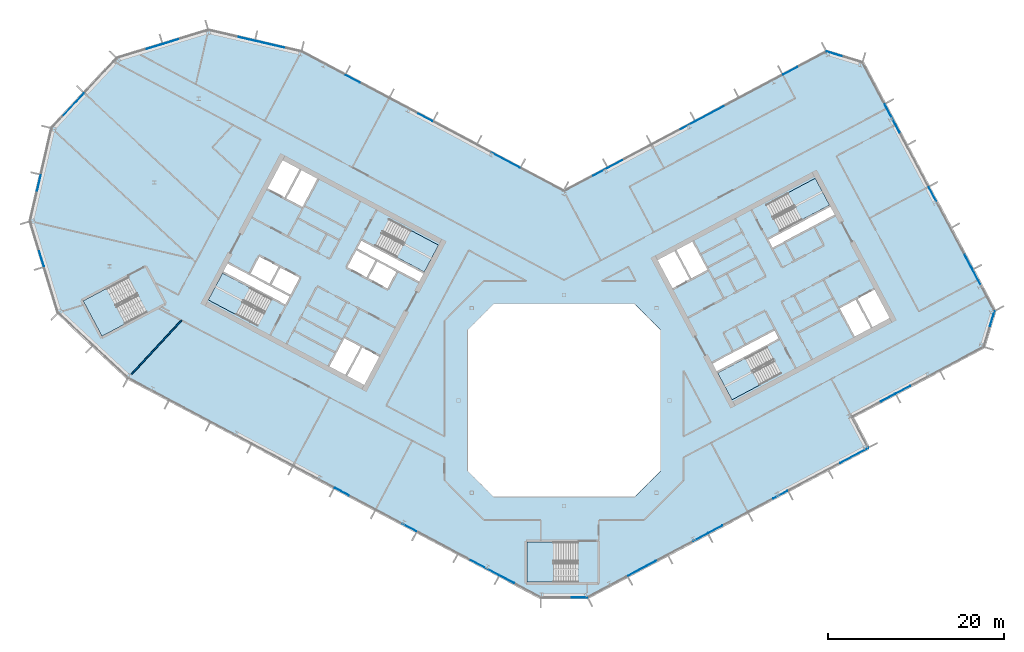
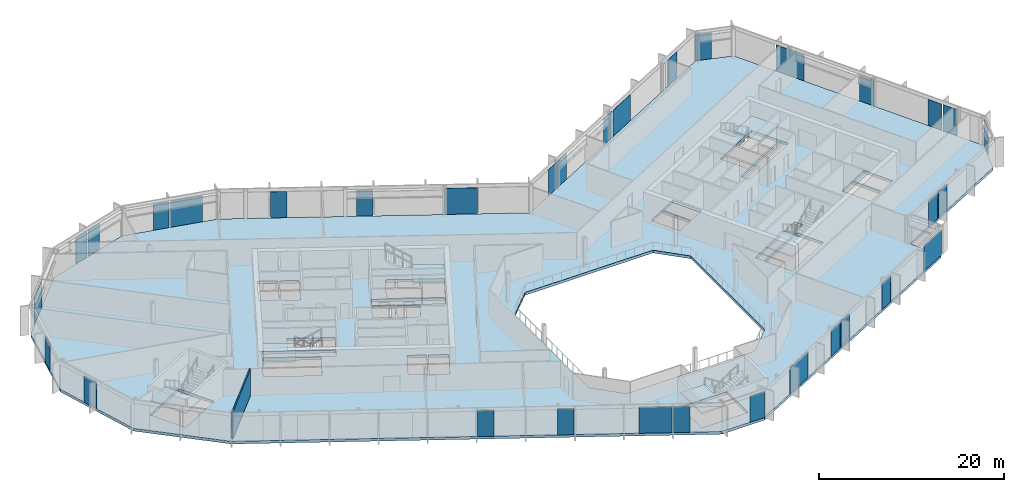
# One storey, part 11 of 26: 33 plates, 7 slabs, 1 wall, 20 elements without a shape of their own.
"""IFC4 building model written with IfcOpenShell, lengths in metres."""

from ifc_helpers import new_model, si_unit, direction, frame, frame_2d, origin, origin_2d, place, context, subcontext, project, spatial, polyline, rectangle, outline, extrude, material, layer, layer_set, type_object, element, aggregate, save


model = new_model("IFC4")

# Units and contexts
model_context = context("Model", 3, precision=1e-05, world=origin(), true_north=direction((0.0, 1.0)))
body_context = subcontext(model_context, "Body", "Model", "MODEL_VIEW")
ifc_project = project(units=[si_unit("LENGTHUNIT", "METRE"), si_unit("AREAUNIT", "SQUARE_METRE"), si_unit("VOLUMEUNIT", "CUBIC_METRE"), si_unit("PLANEANGLEUNIT", "RADIAN"), si_unit("MASSUNIT", "GRAM", prefix="KILO")], contexts=[model_context])

# Site, building, storey
site_placement = place(None, origin())
site = spatial("IfcSite", under=ifc_project, at=site_placement, CompositionType="ELEMENT")
building_placement = place(site_placement, origin())
building = spatial("IfcBuilding", under=site, at=building_placement, Name="Cormorant Relay Tower", CompositionType="ELEMENT")
storey_placement = place(building_placement, frame((0.0, 0.0, 220.800048828125)))
storey = spatial("IfcBuildingStorey", under=building, at=storey_placement, Name="L48", CompositionType="ELEMENT", Elevation=220.800048828125)

# Curtain wall, plate
ifc_material_1 = material(Name="Aluminium 6063-T6 anodised bronze", Category="aluminium")
ifc_layer_1 = layer(ifc_material_1, 0.199951171875)
ifc_layer_set_1 = layer_set([ifc_layer_1], Name="CW1 unitised bronze curtain wall with vertical fins")
curtain_wall_type = type_object("IfcCurtainWallType", Name="CW1 unitised bronze curtain wall with vertical fins", PredefinedType="NOTDEFINED", material=ifc_layer_set_1)
curtain_wall_1_placement = place(storey_placement, origin())
curtain_wall_1 = element("IfcCurtainWall", 1, at=curtain_wall_1_placement, inside=storey, type_object=curtain_wall_type, Name="CW1 curtain wall 1", PredefinedType="NOTDEFINED")
ifc_material_2 = material(Name="Tinted laminated glass", Category="glass")
ifc_layer_2 = layer(ifc_material_2, 0.0400390625)
ifc_layer_set_2 = layer_set([ifc_layer_2], Name="CW1 tinted vision panel 1800 module")
plate_type_1 = type_object("IfcPlateType", Name="CW1 tinted vision panel 1800 module", PredefinedType="CURTAIN_PANEL", material=ifc_layer_set_2)
plate_1_placement = place(storey_placement, frame((1.748779296875, -22.3955078125, 0.0), z_axis=(0.0, 0.0, 1.0), x_axis=(1.0, 0.0, 0.0)))
plate_1 = element("IfcPlate", 2, at=plate_1_placement, type_object=plate_type_1, Name="CW1 panel V01", PredefinedType="CURTAIN_PANEL", context=body_context, shape_type="SweptSolid", body=[
    extrude(rectangle(XDim=1.800048828125, YDim=0.0400390625, at=origin_2d()), origin(), (0.0, 0.0, 1.0), 3.449951171875),
])
aggregate(curtain_wall_1, [plate_1])

# Curtain wall, plates
curtain_wall_2_placement = place(storey_placement, origin())
curtain_wall_2 = element("IfcCurtainWall", 3, at=curtain_wall_2_placement, inside=storey, type_object=curtain_wall_type, Name="CW1 curtain wall 2", PredefinedType="NOTDEFINED")
plate_2_placement = place(storey_placement, frame((15.48291015625, -15.57421875, 0.0), z_axis=(0.0, 0.0, 1.0), x_axis=(0.882947592859, 0.469471562786, 0.0)))
plate_2 = element("IfcPlate", 4, at=plate_2_placement, type_object=plate_type_1, Name="CW1 panel V03", PredefinedType="CURTAIN_PANEL", context=body_context, shape_type="SweptSolid", body=[
    extrude(rectangle(XDim=1.800048828125, YDim=0.0400390625, at=origin_2d()), origin(), (0.0, 0.0, 1.0), 3.449951171875),
])
plate_3_placement = place(storey_placement, frame((17.20458984375, -14.65869140625, 0.0), z_axis=(0.0, 0.0, 1.0), x_axis=(0.882947592859, 0.469471562786, 0.0)))
plate_3 = element("IfcPlate", 5, at=plate_3_placement, type_object=plate_type_1, Name="CW1 panel V04", PredefinedType="CURTAIN_PANEL", context=body_context, shape_type="SweptSolid", body=[
    extrude(rectangle(XDim=1.800048828125, YDim=0.0400390625, at=origin_2d()), origin(), (0.0, 0.0, 1.0), 3.449951171875),
])
plate_4_placement = place(storey_placement, frame((24.6064453125, -10.72314453125, 0.0), z_axis=(0.0, 0.0, 1.0), x_axis=(0.882947592859, 0.469471562786, 0.0)))
plate_4 = element("IfcPlate", 6, at=plate_4_placement, type_object=plate_type_1, Name="CW1 panel V06", PredefinedType="CURTAIN_PANEL", context=body_context, shape_type="SweptSolid", body=[
    extrude(rectangle(XDim=1.800048828125, YDim=0.0400390625, at=origin_2d()), origin(), (0.0, 0.0, 1.0), 3.449951171875),
])

curtain_wall_3_placement = place(storey_placement, origin())
curtain_wall_3 = element("IfcCurtainWall", 7, at=curtain_wall_3_placement, inside=storey, type_object=curtain_wall_type, Name="CW1 curtain wall 4", PredefinedType="NOTDEFINED")
plate_5_placement = place(storey_placement, frame((36.85546875, 0.320068359375, 0.0), z_axis=(0.0, 0.0, 1.0), x_axis=(0.882947592859, 0.469471562786, 0.0)))
plate_5 = element("IfcPlate", 8, at=plate_5_placement, type_object=plate_type_1, Name="CW1 panel V01", PredefinedType="CURTAIN_PANEL", context=body_context, shape_type="SweptSolid", body=[
    extrude(rectangle(XDim=1.800048828125, YDim=0.0400390625, at=origin_2d()), origin(), (0.0, 0.0, 1.0), 3.449951171875),
])
plate_6_placement = place(storey_placement, frame((38.5771484375, 1.235595703125, 0.0), z_axis=(0.0, 0.0, 1.0), x_axis=(0.882947592859, 0.469471562786, 0.0)))
plate_6 = element("IfcPlate", 9, at=plate_6_placement, type_object=plate_type_1, Name="CW1 panel V02", PredefinedType="CURTAIN_PANEL", context=body_context, shape_type="SweptSolid", body=[
    extrude(rectangle(XDim=1.800048828125, YDim=0.0400390625, at=origin_2d()), origin(), (0.0, 0.0, 1.0), 3.449951171875),
])
aggregate(curtain_wall_3, [plate_5, plate_6])

# Curtain wall, plate
curtain_wall_4_placement = place(storey_placement, origin())
curtain_wall_4 = element("IfcCurtainWall", 10, at=curtain_wall_4_placement, inside=storey, type_object=curtain_wall_type, Name="CW1 curtain wall 5", PredefinedType="NOTDEFINED")
plate_7_placement = place(storey_placement, frame((48.710205078125, 9.306884765625, 0.0), z_axis=(0.0, 0.0, 1.0), x_axis=(0.292371704723, 0.956304755963, 0.0)))
plate_7 = element("IfcPlate", 11, at=plate_7_placement, type_object=plate_type_1, Name="CW1 panel V01", PredefinedType="CURTAIN_PANEL", context=body_context, shape_type="SweptSolid", body=[
    extrude(rectangle(XDim=1.800048828125, YDim=0.0400390625, at=origin_2d()), origin(), (0.0, 0.0, 1.0), 3.449951171875),
])
aggregate(curtain_wall_4, [plate_7])

# Curtain wall, plates
curtain_wall_5_placement = place(storey_placement, origin())
curtain_wall_5 = element("IfcCurtainWall", 12, at=curtain_wall_5_placement, inside=storey, type_object=curtain_wall_type, Name="CW1 curtain wall 6", PredefinedType="NOTDEFINED")
plate_8_placement = place(storey_placement, frame((46.925537109375, 14.031005859375, 0.0), z_axis=(0.0, 0.0, 1.0), x_axis=(-0.469471562786, 0.882947592859, 0.0)))
plate_8 = element("IfcPlate", 13, at=plate_8_placement, type_object=plate_type_1, Name="CW1 panel V01", PredefinedType="CURTAIN_PANEL", context=body_context, shape_type="SweptSolid", body=[
    extrude(rectangle(XDim=1.800048828125, YDim=0.0400390625, at=origin_2d()), origin(), (0.0, 0.0, 1.0), 3.449951171875),
])
plate_9_placement = place(storey_placement, frame((46.01025390625, 15.752685546875, 0.0), z_axis=(0.0, 0.0, 1.0), x_axis=(-0.469471562786, 0.882947592859, 0.0)))
plate_9 = element("IfcPlate", 14, at=plate_9_placement, type_object=plate_type_1, Name="CW1 panel V02", PredefinedType="CURTAIN_PANEL", context=body_context, shape_type="SweptSolid", body=[
    extrude(rectangle(XDim=1.800048828125, YDim=0.0400390625, at=origin_2d()), origin(), (0.0, 0.0, 1.0), 3.449951171875),
])
plate_10_placement = place(storey_placement, frame((41.91796875, 23.448974609375, 0.0), z_axis=(0.0, 0.0, 1.0), x_axis=(-0.469471562786, 0.882947592859, 0.0)))
plate_10 = element("IfcPlate", 15, at=plate_10_placement, type_object=plate_type_1, Name="CW1 panel V04", PredefinedType="CURTAIN_PANEL", context=body_context, shape_type="SweptSolid", body=[
    extrude(rectangle(XDim=1.800048828125, YDim=0.0400390625, at=origin_2d()), origin(), (0.0, 0.0, 1.0), 3.449951171875),
])

# Curtain wall, plate
curtain_wall_6_placement = place(storey_placement, origin())
curtain_wall_6 = element("IfcCurtainWall", 16, at=curtain_wall_6_placement, inside=storey, type_object=curtain_wall_type, Name="CW1 curtain wall 7", PredefinedType="NOTDEFINED")
plate_11_placement = place(storey_placement, frame((30.740234375, 39.424072265625, 0.0), z_axis=(0.0, 0.0, 1.0), x_axis=(-0.956304755963, 0.292371704723, 0.0)))
plate_11 = element("IfcPlate", 17, at=plate_11_placement, type_object=plate_type_1, Name="CW1 panel V01", PredefinedType="CURTAIN_PANEL", context=body_context, shape_type="SweptSolid", body=[
    extrude(rectangle(XDim=1.800048828125, YDim=0.0400390625, at=origin_2d()), origin(), (0.0, 0.0, 1.0), 3.449951171875),
])
aggregate(curtain_wall_6, [plate_11])

# Curtain wall, plates
curtain_wall_7_placement = place(storey_placement, origin())
curtain_wall_7 = element("IfcCurtainWall", 18, at=curtain_wall_7_placement, inside=storey, type_object=curtain_wall_type, Name="CW1 curtain wall 8", PredefinedType="NOTDEFINED")
plate_12_placement = place(storey_placement, frame((25.746337890625, 37.49609375, 0.0), z_axis=(0.0, 0.0, 1.0), x_axis=(-0.882947592859, -0.469471562786, 0.0)))
plate_12 = element("IfcPlate", 19, at=plate_12_placement, type_object=plate_type_1, Name="CW1 panel V01", PredefinedType="CURTAIN_PANEL", context=body_context, shape_type="SweptSolid", body=[
    extrude(rectangle(XDim=1.800048828125, YDim=0.0400390625, at=origin_2d()), origin(), (0.0, 0.0, 1.0), 3.449951171875),
])
plate_13_placement = place(storey_placement, frame((14.066650390625, 31.285888671875, 0.0), z_axis=(0.0, 0.0, 1.0), x_axis=(-0.882947592859, -0.469471562786, 0.0)))
plate_13 = element("IfcPlate", 20, at=plate_13_placement, type_object=plate_type_1, Name="CW1 panel V04", PredefinedType="CURTAIN_PANEL", context=body_context, shape_type="SweptSolid", body=[
    extrude(rectangle(XDim=1.800048828125, YDim=0.0400390625, at=origin_2d()), origin(), (0.0, 0.0, 1.0), 3.449951171875),
])
plate_14_placement = place(storey_placement, frame((5.830322265625, 26.90673828125, 0.0), z_axis=(0.0, 0.0, 1.0), x_axis=(-0.882947592859, -0.469471562786, 0.0)))
plate_14 = element("IfcPlate", 21, at=plate_14_placement, type_object=plate_type_1, Name="CW1 panel V06", PredefinedType="CURTAIN_PANEL", context=body_context, shape_type="SweptSolid", body=[
    extrude(rectangle(XDim=1.800048828125, YDim=0.0400390625, at=origin_2d()), origin(), (0.0, 0.0, 1.0), 3.449951171875),
])
plate_15_placement = place(storey_placement, frame((4.108642578125, 25.9912109375, 0.0), z_axis=(0.0, 0.0, 1.0), x_axis=(-0.882947592859, -0.469471562786, 0.0)))
plate_15 = element("IfcPlate", 22, at=plate_15_placement, type_object=plate_type_1, Name="CW1 panel V07", PredefinedType="CURTAIN_PANEL", context=body_context, shape_type="SweptSolid", body=[
    extrude(rectangle(XDim=1.800048828125, YDim=0.0400390625, at=origin_2d()), origin(), (0.0, 0.0, 1.0), 3.449951171875),
])

curtain_wall_8_placement = place(storey_placement, origin())
curtain_wall_8 = element("IfcCurtainWall", 23, at=curtain_wall_8_placement, inside=storey, type_object=curtain_wall_type, Name="CW1 curtain wall 9", PredefinedType="NOTDEFINED")
plate_16_placement = place(storey_placement, frame((-15.788330078125, 32.201416015625, 0.0), z_axis=(0.0, 0.0, 1.0), x_axis=(-0.882947592859, 0.469471562786, 0.0)))
plate_16 = element("IfcPlate", 24, at=plate_16_placement, type_object=plate_type_1, Name="CW1 panel V03", PredefinedType="CURTAIN_PANEL", context=body_context, shape_type="SweptSolid", body=[
    extrude(rectangle(XDim=1.800048828125, YDim=0.0400390625, at=origin_2d()), origin(), (0.0, 0.0, 1.0), 3.449951171875),
])
plate_17_placement = place(storey_placement, frame((-24.0244140625, 36.580810546875, 0.0), z_axis=(0.0, 0.0, 1.0), x_axis=(-0.882947592859, 0.469471562786, 0.0)))
plate_17 = element("IfcPlate", 25, at=plate_17_placement, type_object=plate_type_1, Name="CW1 panel V05", PredefinedType="CURTAIN_PANEL", context=body_context, shape_type="SweptSolid", body=[
    extrude(rectangle(XDim=1.800048828125, YDim=0.0400390625, at=origin_2d()), origin(), (0.0, 0.0, 1.0), 3.449951171875),
])

# Curtain wall, plate
curtain_wall_9_placement = place(storey_placement, origin())
curtain_wall_9 = element("IfcCurtainWall", 26, at=curtain_wall_9_placement, inside=storey, type_object=curtain_wall_type, Name="CW1 curtain wall 10", PredefinedType="NOTDEFINED")
plate_18_placement = place(storey_placement, frame((-36.114990234375, 41.129638671875, 0.0), z_axis=(0.0, 0.0, 1.0), x_axis=(-0.974370064785, 0.224951054344, 0.0)))
plate_18 = element("IfcPlate", 27, at=plate_18_placement, type_object=plate_type_1, Name="CW1 panel V02", PredefinedType="CURTAIN_PANEL", context=body_context, shape_type="SweptSolid", body=[
    extrude(rectangle(XDim=1.800048828125, YDim=0.0400390625, at=origin_2d()), origin(), (0.0, 0.0, 1.0), 3.449951171875),
])

# Curtain wall, plates
curtain_wall_10_placement = place(storey_placement, origin())
curtain_wall_10 = element("IfcCurtainWall", 28, at=curtain_wall_10_placement, inside=storey, type_object=curtain_wall_type, Name="CW1 curtain wall 11", PredefinedType="NOTDEFINED")
plate_19_placement = place(storey_placement, frame((-44.73681640625, 40.82861328125, 0.0), z_axis=(0.0, 0.0, 1.0), x_axis=(-0.956304755963, -0.292371704723, 0.0)))
plate_19 = element("IfcPlate", 29, at=plate_19_placement, type_object=plate_type_1, Name="CW1 panel V01", PredefinedType="CURTAIN_PANEL", context=body_context, shape_type="SweptSolid", body=[
    extrude(rectangle(XDim=1.800048828125, YDim=0.0400390625, at=origin_2d()), origin(), (0.0, 0.0, 1.0), 3.449951171875),
])
plate_20_placement = place(storey_placement, frame((-46.6015625, 40.25830078125, 0.0), z_axis=(0.0, 0.0, 1.0), x_axis=(-0.956304755963, -0.292371704723, 0.0)))
plate_20 = element("IfcPlate", 30, at=plate_20_placement, type_object=plate_type_1, Name="CW1 panel V02", PredefinedType="CURTAIN_PANEL", context=body_context, shape_type="SweptSolid", body=[
    extrude(rectangle(XDim=1.800048828125, YDim=0.0400390625, at=origin_2d()), origin(), (0.0, 0.0, 1.0), 3.449951171875),
])
aggregate(curtain_wall_10, [plate_19, plate_20])

# Curtain wall, plate
curtain_wall_11_placement = place(storey_placement, origin())
curtain_wall_11 = element("IfcCurtainWall", 31, at=curtain_wall_11_placement, inside=storey, type_object=curtain_wall_type, Name="CW1 curtain wall 13", PredefinedType="NOTDEFINED")
plate_21_placement = place(storey_placement, frame((-59.736083984375, 24.74365234375, 0.0), z_axis=(0.0, 0.0, 1.0), x_axis=(-0.224951054344, -0.974370064785, 0.0)))
plate_21 = element("IfcPlate", 32, at=plate_21_placement, type_object=plate_type_1, Name="CW1 panel V01", PredefinedType="CURTAIN_PANEL", context=body_context, shape_type="SweptSolid", body=[
    extrude(rectangle(XDim=1.800048828125, YDim=0.0400390625, at=origin_2d()), origin(), (0.0, 0.0, 1.0), 3.449951171875),
])
aggregate(curtain_wall_11, [plate_21])

curtain_wall_12_placement = place(storey_placement, origin())
curtain_wall_12 = element("IfcCurtainWall", 33, at=curtain_wall_12_placement, inside=storey, type_object=curtain_wall_type, Name="CW1 curtain wall 14", PredefinedType="NOTDEFINED")
plate_22_placement = place(storey_placement, frame((-59.434814453125, 16.122314453125, 0.0), z_axis=(0.0, 0.0, 1.0), x_axis=(0.292371704723, -0.956304755963, 0.0)))
plate_22 = element("IfcPlate", 34, at=plate_22_placement, type_object=plate_type_1, Name="CW1 panel V01", PredefinedType="CURTAIN_PANEL", context=body_context, shape_type="SweptSolid", body=[
    extrude(rectangle(XDim=1.800048828125, YDim=0.0400390625, at=origin_2d()), origin(), (0.0, 0.0, 1.0), 3.449951171875),
])
aggregate(curtain_wall_12, [plate_22])

# Curtain wall, plates
curtain_wall_13_placement = place(storey_placement, origin())
curtain_wall_13 = element("IfcCurtainWall", 35, at=curtain_wall_13_placement, inside=storey, type_object=curtain_wall_type, Name="CW1 curtain wall 16", PredefinedType="NOTDEFINED")
plate_23_placement = place(storey_placement, frame((-25.268798828125, -10.37109375, 0.0), z_axis=(0.0, 0.0, 1.0), x_axis=(0.882947592859, -0.469471562786, 0.0)))
plate_23 = element("IfcPlate", 36, at=plate_23_placement, type_object=plate_type_1, Name="CW1 panel V06", PredefinedType="CURTAIN_PANEL", context=body_context, shape_type="SweptSolid", body=[
    extrude(rectangle(XDim=1.800048828125, YDim=0.0400390625, at=origin_2d()), origin(), (0.0, 0.0, 1.0), 3.449951171875),
])
plate_24_placement = place(storey_placement, frame((-17.601806640625, -14.447509765625, 0.0), z_axis=(0.0, 0.0, 1.0), x_axis=(0.882947592859, -0.469471562786, 0.0)))
plate_24 = element("IfcPlate", 37, at=plate_24_placement, type_object=plate_type_1, Name="CW1 panel V08", PredefinedType="CURTAIN_PANEL", context=body_context, shape_type="SweptSolid", body=[
    extrude(rectangle(XDim=1.800048828125, YDim=0.0400390625, at=origin_2d()), origin(), (0.0, 0.0, 1.0), 3.449951171875),
])
plate_25_placement = place(storey_placement, frame((-6.49169921875, -20.35498046875, 0.0), z_axis=(0.0, 0.0, 1.0), x_axis=(0.882947592859, -0.469471562786, 0.0)))
plate_25 = element("IfcPlate", 38, at=plate_25_placement, type_object=plate_type_1, Name="CW1 panel V11", PredefinedType="CURTAIN_PANEL", context=body_context, shape_type="SweptSolid", body=[
    extrude(rectangle(XDim=1.800048828125, YDim=0.0400390625, at=origin_2d()), origin(), (0.0, 0.0, 1.0), 3.449951171875),
])

# Plate
ifc_material_3 = material(Name="Tinted laminated glass", Category="glass")
ifc_layer_3 = layer(ifc_material_3, 0.0400390625)
ifc_layer_set_3 = layer_set([ifc_layer_3], Name="CW1 tinted vision panel 3600 module")
plate_type_2 = type_object("IfcPlateType", Name="CW1 tinted vision panel 3600 module", PredefinedType="CURTAIN_PANEL", material=ifc_layer_set_3)
plate_26_placement = place(storey_placement, frame((8.87548828125, -19.08740234375, 0.0), z_axis=(0.0, 0.0, 1.0), x_axis=(0.882947592859, 0.469471562786, 0.0)))
plate_26 = element("IfcPlate", 39, at=plate_26_placement, type_object=plate_type_2, Name="CW1 panel V01", PredefinedType="CURTAIN_PANEL", context=body_context, shape_type="SweptSolid", body=[
    extrude(rectangle(XDim=3.60009765625, YDim=0.0400390625, at=origin_2d()), origin(), (0.0, 0.0, 1.0), 3.449951171875),
])

plate_27_placement = place(storey_placement, frame((33.00146484375, -6.259521484375, 0.0), z_axis=(0.0, 0.0, 1.0), x_axis=(0.882947592859, 0.469471562786, 0.0)))
plate_27 = element("IfcPlate", 40, at=plate_27_placement, type_object=plate_type_2, Name="CW1 panel V08", PredefinedType="CURTAIN_PANEL", context=body_context, shape_type="SweptSolid", body=[
    extrude(rectangle(XDim=3.60009765625, YDim=0.0400390625, at=origin_2d()), origin(), (0.0, 0.0, 1.0), 3.449951171875),
])

aggregate(curtain_wall_2, [plate_26, plate_2, plate_3, plate_4, plate_27])

plate_28_placement = place(storey_placement, frame((37.332763671875, 32.072509765625, 0.0), z_axis=(0.0, 0.0, 1.0), x_axis=(-0.469471562786, 0.882947592859, 0.0)))
plate_28 = element("IfcPlate", 41, at=plate_28_placement, type_object=plate_type_2, Name="CW1 panel V06", PredefinedType="CURTAIN_PANEL", context=body_context, shape_type="SweptSolid", body=[
    extrude(rectangle(XDim=3.60009765625, YDim=0.0400390625, at=origin_2d()), origin(), (0.0, 0.0, 1.0), 3.449951171875),
])

aggregate(curtain_wall_5, [plate_8, plate_9, plate_10, plate_28])

plate_29_placement = place(storey_placement, frame((16.5830078125, 32.6240234375, 0.0), z_axis=(0.0, 0.0, 1.0), x_axis=(-0.882947592859, -0.469471562786, 0.0)))
plate_29 = element("IfcPlate", 42, at=plate_29_placement, type_object=plate_type_2, Name="CW1 panel V03", PredefinedType="CURTAIN_PANEL", context=body_context, shape_type="SweptSolid", body=[
    extrude(rectangle(XDim=3.60009765625, YDim=0.0400390625, at=origin_2d()), origin(), (0.0, 0.0, 1.0), 3.449951171875),
])

aggregate(curtain_wall_7, [plate_12, plate_29, plate_13, plate_14, plate_15])

plate_30_placement = place(storey_placement, frame((-6.625, 27.3291015625, 0.0), z_axis=(0.0, 0.0, 1.0), x_axis=(-0.882947592859, 0.469471562786, 0.0)))
plate_30 = element("IfcPlate", 43, at=plate_30_placement, type_object=plate_type_2, Name="CW1 panel V01", PredefinedType="CURTAIN_PANEL", context=body_context, shape_type="SweptSolid", body=[
    extrude(rectangle(XDim=3.60009765625, YDim=0.0400390625, at=origin_2d()), origin(), (0.0, 0.0, 1.0), 3.449951171875),
])

aggregate(curtain_wall_8, [plate_30, plate_16, plate_17])

plate_31_placement = place(storey_placement, frame((-33.338134765625, 40.488525390625, 0.0), z_axis=(0.0, 0.0, 1.0), x_axis=(-0.974370064785, 0.224951054344, 0.0)))
plate_31 = element("IfcPlate", 44, at=plate_31_placement, type_object=plate_type_2, Name="CW1 panel V01", PredefinedType="CURTAIN_PANEL", context=body_context, shape_type="SweptSolid", body=[
    extrude(rectangle(XDim=3.60009765625, YDim=0.0400390625, at=origin_2d()), origin(), (0.0, 0.0, 1.0), 3.449951171875),
])

aggregate(curtain_wall_9, [plate_31, plate_18])

# Curtain wall, plate
curtain_wall_14_placement = place(storey_placement, origin())
curtain_wall_14 = element("IfcCurtainWall", 45, at=curtain_wall_14_placement, inside=storey, type_object=curtain_wall_type, Name="CW1 curtain wall 12", PredefinedType="NOTDEFINED")
plate_32_placement = place(storey_placement, frame((-55.861083984375, 33.6025390625, 0.0), z_axis=(0.0, 0.0, 1.0), x_axis=(-0.681998360062, -0.731353701619, 0.0)))
plate_32 = element("IfcPlate", 46, at=plate_32_placement, type_object=plate_type_2, Name="CW1 panel V01", PredefinedType="CURTAIN_PANEL", context=body_context, shape_type="SweptSolid", body=[
    extrude(rectangle(XDim=3.60009765625, YDim=0.0400390625, at=origin_2d()), origin(), (0.0, 0.0, 1.0), 3.449951171875),
])
aggregate(curtain_wall_14, [plate_32])

# Plate
plate_33_placement = place(storey_placement, frame((-9.008056640625, -19.01708984375, 0.0), z_axis=(0.0, 0.0, 1.0), x_axis=(0.882947592859, -0.469471562786, 0.0)))
plate_33 = element("IfcPlate", 47, at=plate_33_placement, type_object=plate_type_2, Name="CW1 panel V10", PredefinedType="CURTAIN_PANEL", context=body_context, shape_type="SweptSolid", body=[
    extrude(rectangle(XDim=3.60009765625, YDim=0.0400390625, at=origin_2d()), origin(), (0.0, 0.0, 1.0), 3.449951171875),
])

aggregate(curtain_wall_13, [plate_23, plate_24, plate_33, plate_25])

# Stair, slab
ifc_material_4 = material(Name="Concrete 40 MPa", Category="concrete")
stair_type_1 = type_object("IfcStairType", Name="Exit stair 1500", PredefinedType="HALF_TURN_STAIR", material=ifc_material_4)
stair_1_placement = place(storey_placement, origin())
stair_1 = element("IfcStair", 48, at=stair_1_placement, inside=storey, type_object=stair_type_1, Name="L48 Stair", PredefinedType="HALF_TURN_STAIR")
ifc_material_5 = material(Name="Concrete 40 MPa", Category="concrete")
ifc_layer_4 = layer(ifc_material_5, 0.199951171875)
ifc_layer_set_4 = layer_set([ifc_layer_4], Name="Exit stair landing 200")
slab_type_1 = type_object("IfcSlabType", Name="Exit stair landing 200", PredefinedType="LANDING", material=ifc_layer_set_4)
slab_1_placement = place(storey_placement, frame((0.0, 0.0, 1.75)))
slab_1 = element("IfcSlab", 49, at=slab_1_placement, type_object=slab_type_1, Name="A1 landing 1", PredefinedType="LANDING", context=body_context, shape_type="SweptSolid", body=[
    extrude(outline(polyline([(-19.029541015625, 16.29052734375), (-15.89501953125, 14.6240234375), (-14.275390625, 17.670166015625), (-17.40966796875, 19.3369140625), (-19.029541015625, 16.29052734375)])), origin(), (0.0, 0.0, 1.0), 0.199951171875),
])
aggregate(stair_1, [slab_1])

stair_2_placement = place(storey_placement, origin())
stair_2 = element("IfcStair", 50, at=stair_2_placement, inside=storey, type_object=stair_type_1, Name="L48 Stair", PredefinedType="HALF_TURN_STAIR")
slab_2_placement = place(storey_placement, frame((0.0, 0.0, 1.75)))
slab_2 = element("IfcSlab", 51, at=slab_2_placement, type_object=slab_type_1, Name="A2 landing 1", PredefinedType="LANDING", context=body_context, shape_type="SweptSolid", body=[
    extrude(outline(polyline([(-35.71337890625, 12.816650390625), (-38.84765625, 14.483154296875), (-40.467529296875, 11.43701171875), (-37.3330078125, 9.7705078125), (-35.71337890625, 12.816650390625)])), origin(), (0.0, 0.0, 1.0), 0.199951171875),
])
aggregate(stair_2, [slab_2])

stair_3_placement = place(storey_placement, origin())
stair_3 = element("IfcStair", 52, at=stair_3_placement, inside=storey, type_object=stair_type_1, Name="L48 Stair", PredefinedType="HALF_TURN_STAIR")
slab_3_placement = place(storey_placement, frame((0.0, 0.0, 1.75)))
slab_3 = element("IfcSlab", 53, at=slab_3_placement, type_object=slab_type_1, Name="B1 landing 1", PredefinedType="LANDING", context=body_context, shape_type="SweptSolid", body=[
    extrude(outline(polyline([(20.614990234375, 4.78857421875), (17.48046875, 3.1220703125), (19.10009765625, 0.075927734375), (22.234619140625, 1.742431640625), (20.614990234375, 4.78857421875)])), origin(), (0.0, 0.0, 1.0), 0.199951171875),
])
aggregate(stair_3, [slab_3])

stair_4_placement = place(storey_placement, origin())
stair_4 = element("IfcStair", 54, at=stair_4_placement, inside=storey, type_object=stair_type_1, Name="L48 Stair", PredefinedType="HALF_TURN_STAIR")
slab_4_placement = place(storey_placement, frame((0.0, 0.0, 1.75)))
slab_4 = element("IfcSlab", 55, at=slab_4_placement, type_object=slab_type_1, Name="B2 landing 1", PredefinedType="LANDING", context=body_context, shape_type="SweptSolid", body=[
    extrude(outline(polyline([(27.064208984375, 20.562744140625), (30.19873046875, 22.2294921875), (28.5791015625, 25.275634765625), (25.444580078125, 23.60888671875), (27.064208984375, 20.562744140625)])), origin(), (0.0, 0.0, 1.0), 0.199951171875),
])
aggregate(stair_4, [slab_4])

ifc_material_6 = material(Name="Concrete 40 MPa", Category="concrete")
stair_type_2 = type_object("IfcStairType", Name="Remote exit stair 2200", PredefinedType="HALF_TURN_STAIR", material=ifc_material_6)
stair_5_placement = place(storey_placement, origin())
stair_5 = element("IfcStair", 56, at=stair_5_placement, inside=storey, type_object=stair_type_2, Name="L48 Stair", PredefinedType="HALF_TURN_STAIR")
slab_5_placement = place(storey_placement, frame((0.0, 0.0, 1.75)))
slab_5 = element("IfcSlab", 57, at=slab_5_placement, type_object=slab_type_1, Name="RK1 landing 1", PredefinedType="LANDING", context=body_context, shape_type="SweptSolid", body=[
    extrude(outline(polyline([(-1.199951171875, -16.125), (-4.199951171875, -16.125), (-4.199951171875, -20.675048828125), (-1.199951171875, -20.675048828125), (-1.199951171875, -16.125)])), origin(), (0.0, 0.0, 1.0), 0.199951171875),
])
aggregate(stair_5, [slab_5])

stair_6_placement = place(storey_placement, origin())
stair_6 = element("IfcStair", 58, at=stair_6_placement, inside=storey, type_object=stair_type_2, Name="L48 Stair", PredefinedType="HALF_TURN_STAIR")
slab_6_placement = place(storey_placement, frame((0.0, 0.0, 1.75)))
slab_6 = element("IfcSlab", 59, at=slab_6_placement, type_object=slab_type_1, Name="RP1 landing 1", PredefinedType="LANDING", context=body_context, shape_type="SweptSolid", body=[
    extrude(outline(polyline([(-52.051025390625, 12.7392578125), (-54.699951171875, 11.330810546875), (-52.563720703125, 7.3134765625), (-49.914794921875, 8.721923828125), (-52.051025390625, 12.7392578125)])), origin(), (0.0, 0.0, 1.0), 0.199951171875),
])
aggregate(stair_6, [slab_6])

# Slab
ifc_material_7 = material(Name="Concrete 40 MPa", Category="concrete")
ifc_layer_5 = layer(ifc_material_7, 0.360107421875)
ifc_layer_set_5 = layer_set([ifc_layer_5], Name="Flat plate 360")
slab_type_2 = type_object("IfcSlabType", Name="Flat plate 360", PredefinedType="FLOOR", material=ifc_layer_set_5)
slab_7_placement = place(storey_placement, frame((0.0, 0.0, -0.360107421875)))
element("IfcSlab", 60, at=slab_7_placement, inside=storey, type_object=slab_type_2, Name="Floor slab L48", PredefinedType="FLOOR", context=body_context, shape_type="SweptSolid", body=[
    extrude(outline(polyline([(-60.7197265625, 20.393310546875), (-58.2744140625, 30.985107421875), (-50.86083984375, 38.935302734375), (-40.465576171875, 42.11328125), (-29.873779296875, 39.668212890625), (0.0, 23.783935546875), (29.873779296875, 39.668212890625), (33.930908203125, 38.427734375), (48.9541015625, 10.17333984375), (47.713623046875, 6.1162109375), (32.70361328125, -1.864990234375), (34.581298828125, -5.396728515625), (2.648681640625, -22.37548828125), (-2.648681640625, -22.37548828125), (-49.591552734375, 2.584228515625), (-57.541748046875, 9.997802734375), (-60.7197265625, 20.393310546875)]), holes=[polyline([(11.0, -8.0), (11.0, 8.0), (8.0, 11.0), (-8.0, 11.0), (-11.0, 8.0), (-11.0, -8.0), (-8.0, -11.0), (8.0, -11.0), (11.0, -8.0)]), polyline([(-22.95458984375, 6.03271484375), (-24.668212890625, 2.81005859375), (-22.725830078125, 1.777099609375), (-21.01220703125, 5.0), (-23.04296875, 6.07958984375), (-22.95458984375, 6.03271484375)]), polyline([(-24.985595703125, 7.112548828125), (-26.69921875, 3.889892578125), (-24.844970703125, 2.90380859375), (-23.13134765625, 6.126708984375), (-23.04296875, 6.07958984375), (-24.985595703125, 7.112548828125)]), polyline([(-54.69970703125, 11.330810546875), (-52.563720703125, 7.3134765625), (-47.442626953125, 10.036376953125), (-49.57861328125, 14.0537109375), (-54.69970703125, 11.330810546875)]), polyline([(-33.240966796875, 11.502197265625), (-38.847900390625, 14.483154296875), (-40.46728515625, 11.43701171875), (-34.860595703125, 8.455810546875), (-33.240966796875, 11.502197265625)]), polyline([(-38.260986328125, 15.5869140625), (-38.75390625, 14.659912109375), (-31.690185546875, 10.904052734375), (-31.197265625, 11.8310546875), (-38.260986328125, 15.5869140625)]), polyline([(-31.103515625, 12.0078125), (-30.070556640625, 13.9501953125), (-32.278076171875, 15.123779296875), (-33.310791015625, 13.181396484375), (-31.103515625, 12.0078125)]), polyline([(-22.2880859375, 13.889404296875), (-20.080810546875, 12.7158203125), (-19.048095703125, 14.658203125), (-21.25537109375, 15.831787109375), (-22.2880859375, 13.889404296875)]), polyline([(-34.661865234375, 16.3916015625), (-35.69482421875, 14.448974609375), (-33.4873046875, 13.275390625), (-32.45458984375, 15.2177734375), (-34.661865234375, 16.3916015625)]), polyline([(-22.46484375, 13.9833984375), (-21.431884765625, 15.92578125), (-23.639404296875, 17.099609375), (-24.672119140625, 15.156982421875), (-22.46484375, 13.9833984375)]), polyline([(-31.611572265625, 22.980712890625), (-29.75732421875, 21.99462890625), (-28.043701171875, 25.217529296875), (-29.89794921875, 26.203369140625), (-31.611572265625, 22.980712890625)]), polyline([(-32.01708984375, 27.330078125), (-33.73046875, 24.107421875), (-31.7880859375, 23.074462890625), (-30.074462890625, 26.29736328125), (-32.01708984375, 27.330078125)]), polyline([(-4.199951171875, -16.125), (-4.199951171875, -20.675048828125), (1.60009765625, -20.675048828125), (1.60009765625, -16.125), (-4.199951171875, -16.125)]), polyline([(17.48046875, 3.1220703125), (19.10009765625, 0.07568359375), (24.706787109375, 3.056884765625), (23.087158203125, 6.10302734375), (17.48046875, 3.1220703125)]), polyline([(17.386474609375, 3.298583984375), (24.4501953125, 7.054443359375), (23.957275390625, 7.9814453125), (16.8935546875, 4.2255859375), (17.386474609375, 3.298583984375)]), polyline([(33.197021484375, 11.478515625), (31.3427734375, 10.49267578125), (33.056396484375, 7.27001953125), (34.910400390625, 8.255859375), (33.197021484375, 11.478515625)]), polyline([(33.37353515625, 11.572509765625), (35.087158203125, 8.349609375), (37.029541015625, 9.382568359375), (35.31591796875, 12.605224609375), (33.37353515625, 11.572509765625)]), polyline([(14.3056640625, 13.779052734375), (12.592041015625, 17.001708984375), (10.649658203125, 15.968994140625), (12.36328125, 12.74609375), (14.39404296875, 13.825927734375), (14.3056640625, 13.779052734375)]), polyline([(16.33642578125, 14.85888671875), (14.622802734375, 18.08154296875), (12.768798828125, 17.095703125), (14.482421875, 13.872802734375), (14.39404296875, 13.825927734375), (16.33642578125, 14.85888671875)]), polyline([(-16.481689453125, 13.520263671875), (-15.989013671875, 14.447509765625), (-23.052490234375, 18.203125), (-23.54541015625, 17.276123046875), (-16.481689453125, 13.520263671875)]), polyline([(-15.89501953125, 14.6240234375), (-14.275390625, 17.670166015625), (-19.882080078125, 20.6513671875), (-21.501708984375, 17.605224609375), (-15.89501953125, 14.6240234375)]), polyline([(30.78564453125, 21.125732421875), (30.29248046875, 22.052978515625), (23.22900390625, 18.297119140625), (23.721923828125, 17.3701171875), (30.78564453125, 21.125732421875)]), polyline([(24.592041015625, 19.248291015625), (30.19873046875, 22.2294921875), (28.5791015625, 25.275634765625), (22.972412109375, 22.29443359375), (24.592041015625, 19.248291015625)])]), origin(), (0.0, 0.0, 1.0), 0.360107421875),
])

# Wall
ifc_material_8 = material(Name="Gypsum board partition")
ifc_layer_6 = layer(ifc_material_8, 0.14990234375)
ifc_layer_set_6 = layer_set([ifc_layer_6], Name="Tenant partition 150")
wall_type = type_object("IfcWallType", Name="Tenant partition 150", PredefinedType="PARTITIONING", material=ifc_layer_set_6)
wall_placement = place(storey_placement, frame((-49.2490234375, 2.950927734375, 0.0), z_axis=(0.0, 0.0, 1.0), x_axis=(0.681961621959, 0.73138795873, 0.0)))
element("IfcWall", 61, at=wall_placement, inside=storey, type_object=wall_type, Name="wall/L48/part/009", PredefinedType="PARTITIONING", context=body_context, shape_type="SweptSolid", body=[
    extrude(rectangle(XDim=8.4169921875, YDim=0.14990234375, at=frame_2d((4.20849609375, 0.0))), origin(), (0.0, 0.0, 1.0), 3.5400390625),
])

save(model, "model.ifc")
